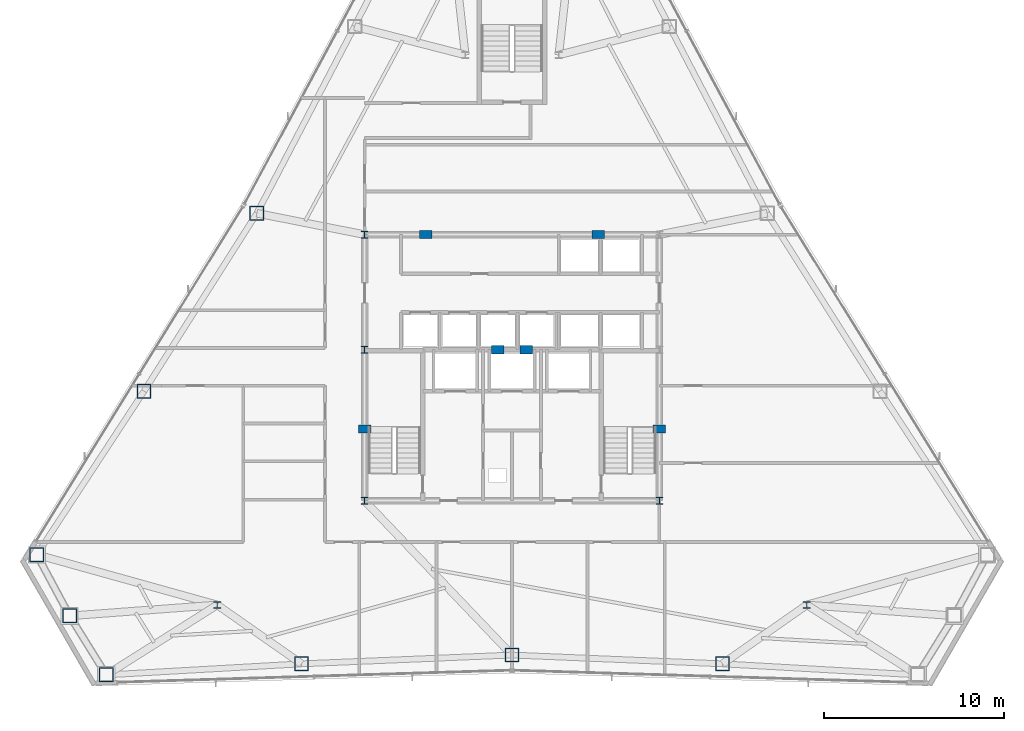
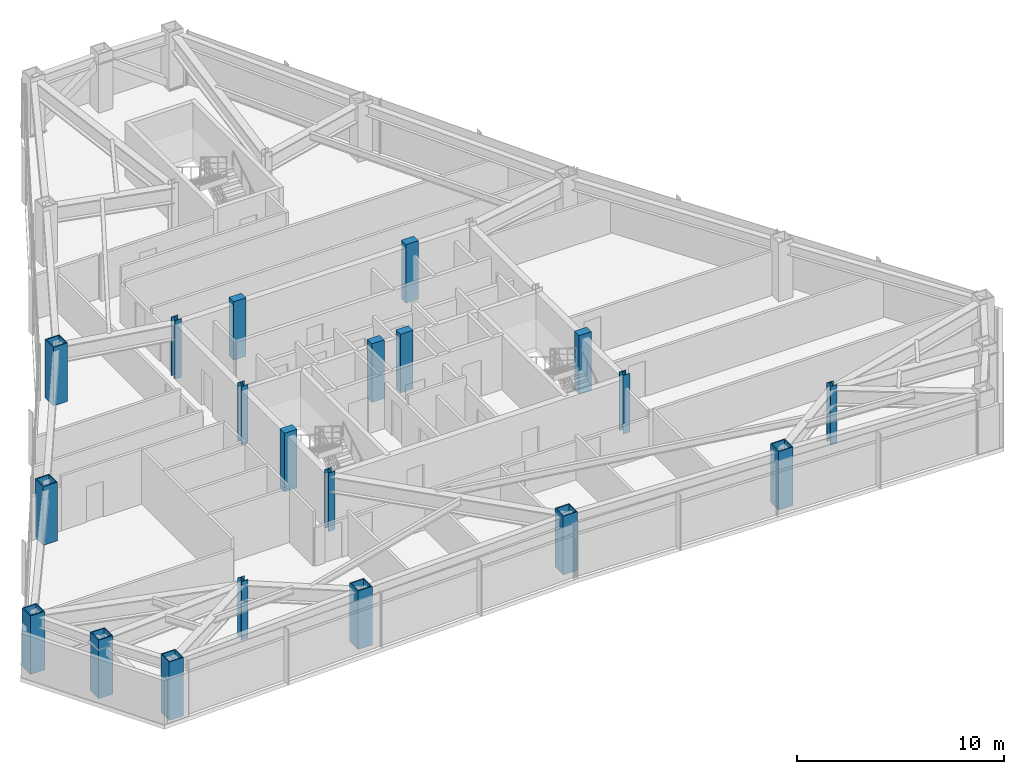
# One storey, part 1 of 13: 20 columns.
"""IFC4 building model written with IfcOpenShell, lengths in metres."""

from ifc_helpers import new_model, si_unit, direction, frame, origin, origin_2d, place, context, subcontext, project, spatial, rectangle, hollow_rectangle, i_section, extrude, material, material_profile, profile_set, type_object, element, save


model = new_model("IFC4")

# Units and contexts
model_context = context("Model", 3, precision=1e-05, world=origin(), true_north=direction((0.0, 1.0)))
body_context = subcontext(model_context, "Body", "Model", "MODEL_VIEW")
ifc_project = project(units=[si_unit("LENGTHUNIT", "METRE"), si_unit("AREAUNIT", "SQUARE_METRE"), si_unit("VOLUMEUNIT", "CUBIC_METRE"), si_unit("PLANEANGLEUNIT", "RADIAN"), si_unit("MASSUNIT", "GRAM", prefix="KILO")], contexts=[model_context])

# Site, building, storey
site_placement = place(None, origin())
site = spatial("IfcSite", under=ifc_project, at=site_placement, CompositionType="ELEMENT")
building_placement = place(site_placement, origin())
building = spatial("IfcBuilding", under=site, at=building_placement, Name="Varakhsha Concourse Tower", CompositionType="ELEMENT")
storey_placement = place(building_placement, frame((0.0, 0.0, 162.0)))
storey = spatial("IfcBuildingStorey", under=building, at=storey_placement, Name="L46", CompositionType="ELEMENT", Elevation=162.0)

# Columns
ifc_material_1 = material(Name="Structural Steel ASTM A992 Grade 50", Category="steel")
ifc_material_profile_1 = material_profile(ifc_material_1, i_section(OverallWidth=0.3740234375, OverallDepth=0.3720703125, WebThickness=0.01611328125, FlangeThickness=0.02587890625, at=origin_2d()), Name="W14X132")
ifc_profile_set_1 = profile_set([ifc_material_profile_1], Name="Structural Steel ASTM A992 Grade 50")
column_type_1 = type_object("IfcColumnType", Name="CL-CORE-W14X132", PredefinedType="COLUMN", material=ifc_profile_set_1)
for number, where, z_axis, x_axis, name in (
    (1, (31.800048828125, 16.39990234375, 0.0), (0.0, 0.0, 1.0), (1.0, 0.0, 0.0), "L46 Core Column CC-SW"),
    (2, (48.199951171875, 16.39990234375, 0.0), (0.0, 0.0, 1.0), (1.0, 0.0, 0.0), "L46 Core Column CC-SE"),
    (3, (31.800048828125, 24.800048828125, 0.0), (0.0, 0.0, 1.0), (1.0, 0.0, 0.0), "L46 Core Column CC-MW"),
    (4, (31.800048828125, 31.199951171875, 0.0), (0.0, 0.0, 1.0), (1.0, 0.0, 0.0), "L46 Core Column CC-NW"),
    (5, (23.60009765625, 10.60009765625, 0.0), (0.0, 0.0, 1.0), (1.0, 0.0, 0.0), "L46 Core Column SS-W"),
    (6, (56.39990234375, 10.60009765625, 0.0), (0.0, 0.0, 1.0), (1.0, 0.0, 0.0), "L46 Core Column SS-E"),
):
    element("IfcColumn", number, at=place(storey_placement, frame(where, z_axis=z_axis, x_axis=x_axis)), inside=storey, type_object=column_type_1, Name=name, PredefinedType="COLUMN", context=body_context, shape_type="SweptSolid", body=[
        extrude(i_section(OverallWidth=0.3740234375, OverallDepth=0.3720703125, WebThickness=0.01611328125, FlangeThickness=0.02587890625, at=origin_2d()), origin(), (0.0, 0.0, 1.0), 3.449951171875),
    ])
ifc_material_2 = material(Name="Concrete fc 65 MPa", Category="concrete")
ifc_material_profile_2 = material_profile(ifc_material_2, rectangle(XDim=0.699951171875, YDim=0.449951171875, at=origin_2d()), Name="RC 700x450")
ifc_profile_set_2 = profile_set([ifc_material_profile_2], Name="Concrete fc 65 MPa")
column_type_2 = type_object("IfcColumnType", Name="CL-PIL-700X450", PredefinedType="PILASTER", material=ifc_profile_set_2)
for number, where, z_axis, x_axis, name in (
    (7, (31.800048828125, 20.39990234375, 0.0), (0.0, 0.0, 1.0), (1.0, 0.0, 0.0), "L46 Core Boundary Pilaster PIL-W1"),
    (8, (48.199951171875, 20.39990234375, 0.0), (0.0, 0.0, 1.0), (1.0, 0.0, 0.0), "L46 Core Boundary Pilaster PIL-E1"),
    (9, (35.199951171875, 31.199951171875, 0.0), (0.0, 0.0, 1.0), (1.0, 0.0, 0.0), "L46 Core Boundary Pilaster PIL-N1"),
    (10, (44.800048828125, 31.199951171875, 0.0), (0.0, 0.0, 1.0), (1.0, 0.0, 0.0), "L46 Core Boundary Pilaster PIL-N2"),
    (11, (39.199951171875, 24.800048828125, 0.0), (0.0, 0.0, 1.0), (1.0, 0.0, 0.0), "L46 Core Boundary Pilaster PIL-M1"),
    (12, (40.800048828125, 24.800048828125, 0.0), (0.0, 0.0, 1.0), (1.0, 0.0, 0.0), "L46 Core Boundary Pilaster PIL-M2"),
):
    element("IfcColumn", number, at=place(storey_placement, frame(where, z_axis=z_axis, x_axis=x_axis)), inside=storey, type_object=column_type_2, Name=name, PredefinedType="PILASTER", context=body_context, shape_type="SweptSolid", body=[
        extrude(rectangle(XDim=0.699951171875, YDim=0.449951171875, at=origin_2d()), origin(), (0.0, 0.0, 1.0), 3.449951171875),
    ])
ifc_material_3 = material(Name="Structural Steel ASTM A572 Grade 50", Category="steel")
ifc_material_profile_3 = material_profile(ifc_material_3, hollow_rectangle(XDim=0.800048828125, YDim=0.800048828125, WallThickness=0.054931640625, at=origin_2d()), Name="BOX 800x800x55")
ifc_profile_set_3 = profile_set([ifc_material_profile_3], Name="Structural Steel ASTM A572 Grade 50")
column_type_3 = type_object("IfcColumnType", Name="CL-TUBE-800", PredefinedType="COLUMN", material=ifc_profile_set_3)
for number, where, z_axis, x_axis, name in (
    (13, (25.807861328125, 32.393798828125, 0.0), (0.0, 0.0, 1.0), (1.0, 0.0, 0.0), "L46 Framed-Tube Column TC05"),
    (14, (19.52734375, 22.494384765625, 0.0), (0.0, 0.0, 1.0), (1.0, 0.0, 0.0), "L46 Framed-Tube Column TC06"),
    (15, (13.563720703125, 13.397705078125, 0.0), (0.0, 0.0, 1.0), (1.0, 0.0, 0.0), "L46 Framed-Tube Column TC07"),
    (16, (15.388916015625, 9.99072265625, 0.0), (0.0, 0.0, 1.0), (1.0, 0.0, 0.0), "L46 Framed-Tube Column TC08"),
    (17, (17.4267578125, 6.70654296875, 0.0), (0.0, 0.0, 1.0), (1.0, 0.0, 0.0), "L46 Framed-Tube Column TC09"),
    (18, (28.28662109375, 7.322998046875, 0.0), (0.0, 0.0, 1.0), (1.0, 0.0, 0.0), "L46 Framed-Tube Column TC10"),
    (19, (40.0, 7.812255859375, 0.0), (0.0, 0.0, 1.0), (1.0, 0.0, 0.0), "L46 Framed-Tube Column TC11"),
    (20, (51.71337890625, 7.322998046875, 0.0), (0.0, 0.0, 1.0), (1.0, 0.0, 0.0), "L46 Framed-Tube Column TC12"),
):
    element("IfcColumn", number, at=place(storey_placement, frame(where, z_axis=z_axis, x_axis=x_axis)), inside=storey, type_object=column_type_3, Name=name, PredefinedType="COLUMN", context=body_context, shape_type="SweptSolid", body=[
        extrude(hollow_rectangle(XDim=0.800048828125, YDim=0.800048828125, WallThickness=0.054931640625, at=origin_2d()), origin(), (0.0, 0.0, 1.0), 3.449951171875),
    ])

save(model, "model.ifc")
